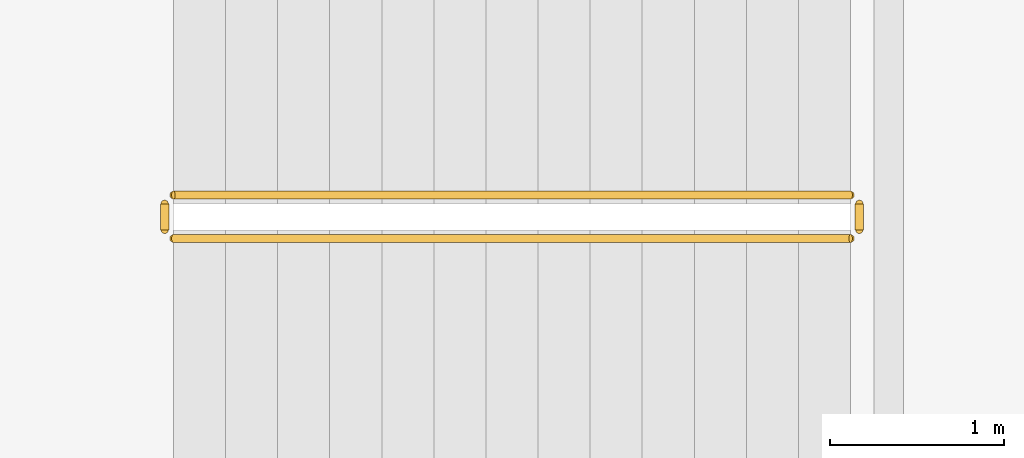
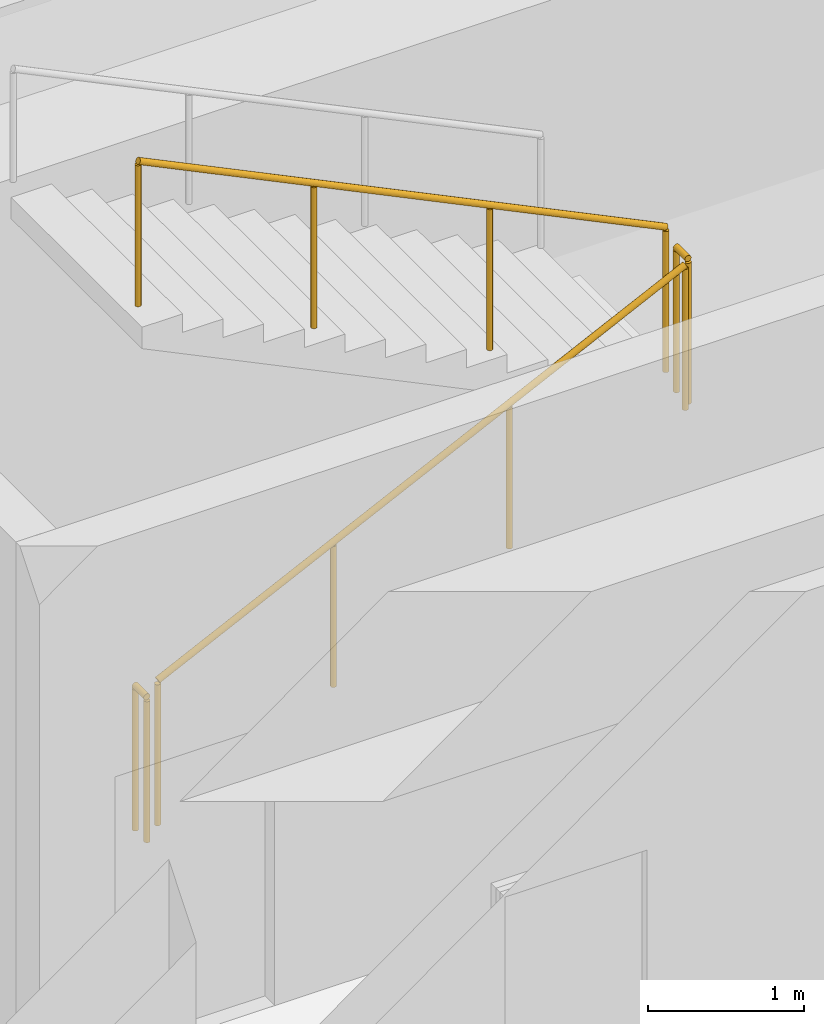
# One storey, part 20 of 27: 4 railings.
"""IFC4 building model written with IfcOpenShell, lengths in metres."""

from ifc_helpers import new_model, si_unit, direction, frame, origin, origin_2d, place, context, subcontext, project, spatial, circle, extrude, material, type_object, element, save


model = new_model("IFC4")

# Units and contexts
model_context = context("Model", 3, precision=1e-05, world=origin(), true_north=direction((0.0, 1.0)))
body_context = subcontext(model_context, "Body", "Model", "MODEL_VIEW")
ifc_project = project(units=[si_unit("LENGTHUNIT", "METRE"), si_unit("AREAUNIT", "SQUARE_METRE"), si_unit("VOLUMEUNIT", "CUBIC_METRE"), si_unit("PLANEANGLEUNIT", "RADIAN"), si_unit("MASSUNIT", "GRAM", prefix="KILO")], contexts=[model_context])

# Site, building, storey
site_placement = place(None, origin())
site = spatial("IfcSite", under=ifc_project, at=site_placement, CompositionType="ELEMENT")
building_placement = place(site_placement, origin())
building = spatial("IfcBuilding", under=site, at=building_placement, Name="Punatoya Terracotta Tower", CompositionType="ELEMENT")
storey_placement = place(building_placement, frame((0.0, 0.0, 60.60009765625)))
storey = spatial("IfcBuildingStorey", under=building, at=storey_placement, Name="L13", CompositionType="ELEMENT", Elevation=60.60009765625)

# Railings
ifc_material = material(Name="Steel S355", Category="steel")
railing_type = type_object("IfcRailingType", Name="RLG-GRD-1150", PredefinedType="GUARDRAIL", material=ifc_material)
railing_1_placement = place(storey_placement, frame((-2.89990234375, 6.949951171875, 0.14453125)))
element("IfcRailing", 1, at=railing_1_placement, inside=storey, type_object=railing_type, Name="L13 ST-3 stair guard 1", PredefinedType="GUARDRAIL", context=body_context, shape_type="SweptSolid", body=[
    extrude(circle(Radius=0.02392578125, at=origin_2d()), frame((0.0, 0.0, 1.1259765625), z_axis=(0.900763166376, 0.0, 0.434310623978), x_axis=(0.0, 1.0, 0.0)), (0.0, 0.0, 1.0), 4.32958984375),
    extrude(circle(Radius=0.02099609375, at=origin_2d()), origin(), (0.0, 0.0, 1.0), 1.101806640625),
    extrude(circle(Radius=0.02099609375, at=origin_2d()), frame((1.300048828125, 0.0, 0.626708984375)), (0.0, 0.0, 1.0), 1.101806640625),
    extrude(circle(Radius=0.02099609375, at=origin_2d()), frame((2.599853515625, 0.0, 1.253662109375)), (0.0, 0.0, 1.0), 1.101806640625),
    extrude(circle(Radius=0.02099609375, at=origin_2d()), frame((3.89990234375, 0.0, 1.88037109375)), (0.0, 0.0, 1.0), 1.101806640625),
])
railing_2_placement = place(storey_placement, frame((1.050048828125, 7.0, 2.02490234375)))
element("IfcRailing", 2, at=railing_2_placement, inside=storey, type_object=railing_type, Name="L13 ST-3 stair guard 2", PredefinedType="GUARDRAIL", context=body_context, shape_type="SweptSolid", body=[
    extrude(circle(Radius=0.02392578125, at=origin_2d()), frame((0.0, 0.0, 1.1259765625), z_axis=(0.0, 1.0, 0.0), x_axis=(-1.0, 0.0, 0.0)), (0.0, 0.0, 1.0), 0.14990234375),
    extrude(circle(Radius=0.02099609375, at=origin_2d()), origin(), (0.0, 0.0, 1.0), 1.101806640625),
    extrude(circle(Radius=0.02099609375, at=origin_2d()), frame((0.0, 0.14990234375, 0.0)), (0.0, 0.0, 1.0), 1.101806640625),
])
railing_3_placement = place(storey_placement, frame((1.0, 7.199951171875, 2.16943359375)))
element("IfcRailing", 3, at=railing_3_placement, inside=storey, type_object=railing_type, Name="L13 ST-3 stair guard 3", PredefinedType="GUARDRAIL", context=body_context, shape_type="SweptSolid", body=[
    extrude(circle(Radius=0.02392578125, at=origin_2d()), frame((0.0, 0.0, 1.1259765625), z_axis=(-0.900763166376, 0.0, 0.434310623978), x_axis=(0.0, -1.0, 0.0)), (0.0, 0.0, 1.0), 4.32958984375),
    extrude(circle(Radius=0.02099609375, at=origin_2d()), origin(), (0.0, 0.0, 1.0), 1.101806640625),
    extrude(circle(Radius=0.02099609375, at=origin_2d()), frame((-1.300048828125, 0.0, 0.626708984375)), (0.0, 0.0, 1.0), 1.101806640625),
    extrude(circle(Radius=0.02099609375, at=origin_2d()), frame((-2.599853515625, 0.0, 1.253662109375)), (0.0, 0.0, 1.0), 1.101806640625),
    extrude(circle(Radius=0.02099609375, at=origin_2d()), frame((-3.89990234375, 0.0, 1.88037109375)), (0.0, 0.0, 1.0), 1.101806640625),
])
railing_4_placement = place(storey_placement, frame((-2.949951171875, 7.0, 0.0)))
element("IfcRailing", 4, at=railing_4_placement, inside=storey, type_object=railing_type, Name="L13 ST-3 stair guard 4", PredefinedType="GUARDRAIL", context=body_context, shape_type="SweptSolid", body=[
    extrude(circle(Radius=0.02392578125, at=origin_2d()), frame((0.0, 0.0, 1.1259765625), z_axis=(0.0, 1.0, 0.0), x_axis=(-1.0, 0.0, 0.0)), (0.0, 0.0, 1.0), 0.14990234375),
    extrude(circle(Radius=0.02099609375, at=origin_2d()), origin(), (0.0, 0.0, 1.0), 1.101806640625),
    extrude(circle(Radius=0.02099609375, at=origin_2d()), frame((0.0, 0.14990234375, 0.0)), (0.0, 0.0, 1.0), 1.101806640625),
])

save(model, "model.ifc")
